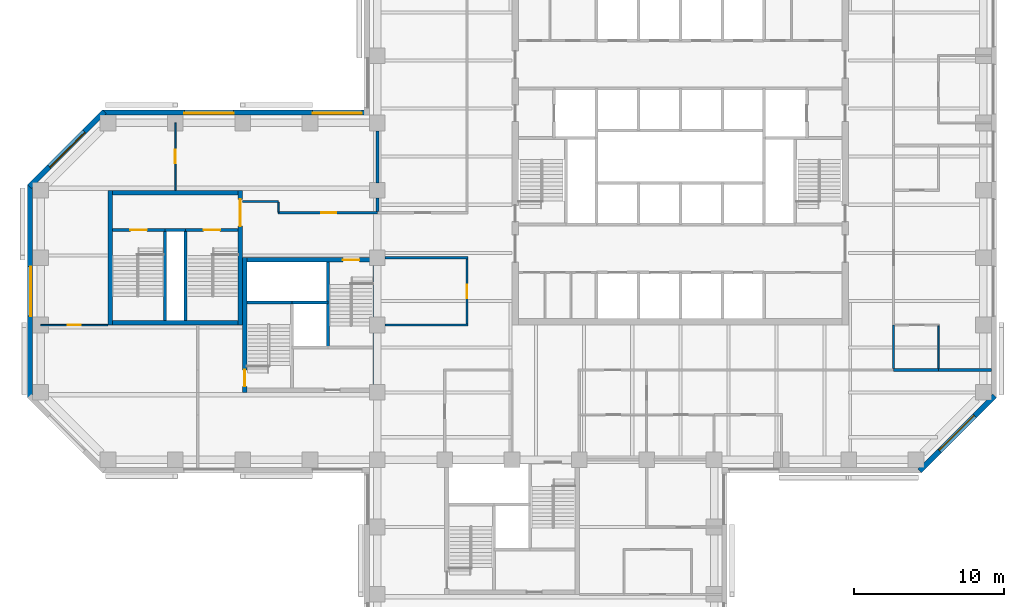
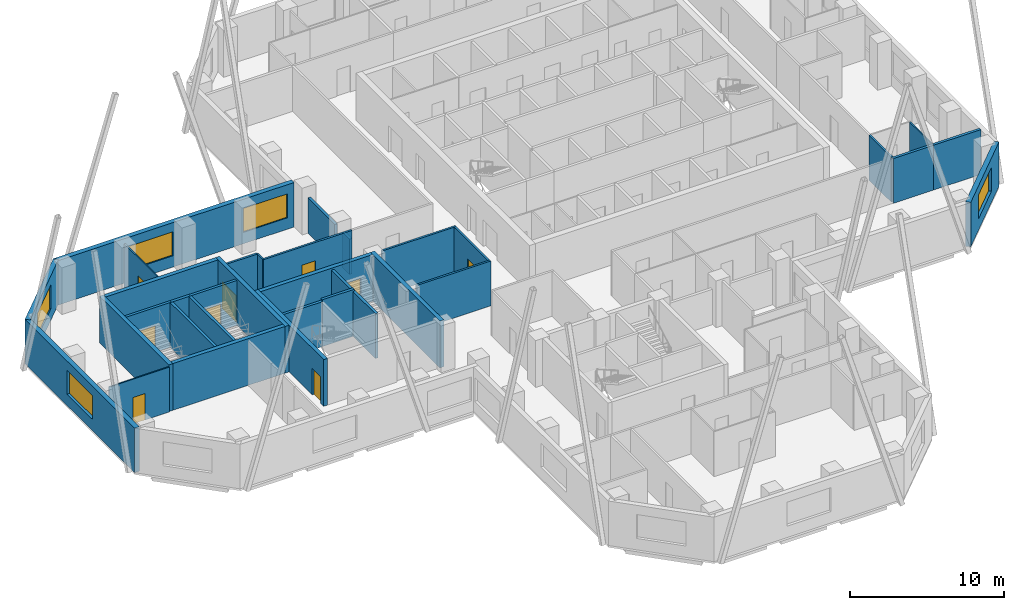
# One storey, part 5 of 10: 33 walls, 9 doors, 5 windows, 14 openings.
"""IFC4 building model written with IfcOpenShell, lengths in metres."""

from ifc_helpers import new_model, si_unit, direction, frame, frame_2d, origin, place, context, subcontext, project, spatial, rectangle, extrude, material, layer, layer_set, constituent, constituent_set, type_object, element, fill, save


model = new_model("IFC4")

# Units and contexts
model_context = context("Model", 3, precision=1e-05, world=origin(), true_north=direction((0.0, 1.0)))
body_context = subcontext(model_context, "Body", "Model", "MODEL_VIEW")
ifc_project = project(units=[si_unit("LENGTHUNIT", "METRE"), si_unit("AREAUNIT", "SQUARE_METRE"), si_unit("VOLUMEUNIT", "CUBIC_METRE"), si_unit("PLANEANGLEUNIT", "RADIAN"), si_unit("MASSUNIT", "GRAM", prefix="KILO")], contexts=[model_context])

# Site, building, storey
site_placement = place(None, origin())
site = spatial("IfcSite", under=ifc_project, at=site_placement, CompositionType="ELEMENT")
building_placement = place(site_placement, origin())
building = spatial("IfcBuilding", under=site, at=building_placement, Name="Quoin Convention Tower", CompositionType="ELEMENT")
storey_placement = place(building_placement, frame((0.0, 0.0, 97.39990234375)))
storey = spatial("IfcBuildingStorey", under=building, at=storey_placement, Name="L25", CompositionType="ELEMENT", Elevation=97.39990234375)

# Wall, opening, window
ifc_material_1 = material(Name="Brick masonry", Category="masonry")
ifc_layer_1 = layer(ifc_material_1, 0.35009765625)
ifc_layer_set_1 = layer_set([ifc_layer_1], Name="Brick masonry")
wall_type_1 = type_object("IfcWallType", Name="Brick facade wall", PredefinedType="STANDARD", material=ifc_layer_set_1)
wall_1_placement = place(storey_placement, frame((72.23876953125, 39.748779296875, 0.0), z_axis=(0.0, 0.0, 1.0), x_axis=(0.707106781187, 0.707106781187, 0.0)))
wall_1 = element("IfcWall", 1, at=wall_1_placement, inside=storey, type_object=wall_type_1, Name="fw-L25-72000_40500", PredefinedType="STANDARD", context=body_context, shape_type="SweptSolid", body=[
    extrude(rectangle(XDim=7.088623046875, YDim=0.35009765625, at=frame_2d((3.54443359375, 0.0))), origin(), (0.0, 0.0, 1.0), 3.525146484375),
])
opening_1_placement = place(wall_1_placement, frame((1.894287109375, 0.0, 0.89990234375)))
opening_1 = element("IfcOpeningElement", 2, at=opening_1_placement, cuts=wall_1, Name="Opening W-02", PredefinedType="OPENING", context=body_context, shape_type="SweptSolid", body=[
    extrude(rectangle(XDim=3.300048828125, YDim=1.89990234375, at=frame_2d((1.64990234375, 0.949951171875))), frame((0.0, 0.18505859375, 0.0), z_axis=(0.0, -1.0, 0.0), x_axis=(1.0, 0.0, 0.0)), (0.0, 0.0, 1.0), 0.3701171875),
])
ifc_material_2 = material(Name="Aluminium", Category="aluminium")
ifc_constituent_1 = constituent(ifc_material_2, Name="Frame")
ifc_material_3 = material(Name="Insulated glass", Category="glass")
ifc_constituent_2 = constituent(ifc_material_3, Name="Glazing")
ifc_constituent_set = constituent_set(constituents=[ifc_constituent_1, ifc_constituent_2], Name="Aluminium")
window_type = type_object("IfcWindowType", Name="Office window", PartitioningType="DOUBLE_PANEL_VERTICAL", PredefinedType="WINDOW", material=ifc_constituent_set)
window_1_placement = place(opening_1_placement, origin())
window_1 = element("IfcWindow", 3, at=window_1_placement, inside=storey, type_object=window_type, Name="win-L25-74745_42255", OverallHeight=1.89990234375, OverallWidth=3.300048828125, PartitioningType="SINGLE_PANEL", PredefinedType="WINDOW", context=body_context, shape_type="SweptSolid", body=[
    extrude(rectangle(XDim=3.300048828125, YDim=1.89990234375, at=frame_2d((1.64990234375, 0.949951171875))), frame((0.0, 0.0849609375, 0.0), z_axis=(0.0, -1.0, 0.0), x_axis=(1.0, 0.0, 0.0)), (0.0, 0.0, 1.0), 0.06005859375),
])
fill(opening_1, window_1)

# Wall, openings, windows
wall_2_placement = place(storey_placement, frame((35.47509765625, 63.699951171875, 0.0), z_axis=(0.0, 0.0, 1.0), x_axis=(-1.0, 0.0, 0.0)))
wall_2 = element("IfcWall", 4, at=wall_2_placement, inside=storey, type_object=wall_type_1, Name="fw-L25-36000_63000", PredefinedType="STANDARD", context=body_context, shape_type="SweptSolid", body=[
    extrude(rectangle(XDim=17.83740234375, YDim=0.35009765625, at=frame_2d((8.918701171875, 0.0))), origin(), (0.0, 0.0, 1.0), 3.525146484375),
])
opening_2_placement = place(wall_2_placement, frame((0.5, 0.0, 0.89990234375)))
opening_2 = element("IfcOpeningElement", 5, at=opening_2_placement, cuts=wall_2, Name="Opening W-02", PredefinedType="OPENING", context=body_context, shape_type="SweptSolid", body=[
    extrude(rectangle(XDim=3.300048828125, YDim=1.89990234375, at=frame_2d((1.64990234375, 0.949951171875))), frame((0.0, 0.18505859375, 0.0), z_axis=(0.0, -1.0, 0.0), x_axis=(1.0, 0.0, 0.0)), (0.0, 0.0, 1.0), 0.3701171875),
])
opening_3_placement = place(wall_2_placement, frame((9.074951171875, 0.0, 0.89990234375)))
opening_3 = element("IfcOpeningElement", 6, at=opening_3_placement, cuts=wall_2, Name="Opening W-02", PredefinedType="OPENING", context=body_context, shape_type="SweptSolid", body=[
    extrude(rectangle(XDim=3.300048828125, YDim=1.89990234375, at=frame_2d((1.64990234375, 0.949951171875))), frame((0.0, 0.18505859375, 0.0), z_axis=(0.0, -1.0, 0.0), x_axis=(1.0, 0.0, 0.0)), (0.0, 0.0, 1.0), 0.3701171875),
])
window_2_placement = place(opening_2_placement, origin())
window_2 = element("IfcWindow", 7, at=window_2_placement, inside=storey, type_object=window_type, Name="win-L25-33750_63700", OverallHeight=1.89990234375, OverallWidth=3.300048828125, PartitioningType="SINGLE_PANEL", PredefinedType="WINDOW", context=body_context, shape_type="SweptSolid", body=[
    extrude(rectangle(XDim=3.300048828125, YDim=1.89990234375, at=frame_2d((1.64990234375, 0.949951171875))), frame((0.0, 0.0849609375, 0.0), z_axis=(0.0, -1.0, 0.0), x_axis=(1.0, 0.0, 0.0)), (0.0, 0.0, 1.0), 0.06005859375),
])
fill(opening_2, window_2)
window_3_placement = place(opening_3_placement, origin())
window_3 = element("IfcWindow", 8, at=window_3_placement, inside=storey, type_object=window_type, Name="win-L25-24750_63700", OverallHeight=1.89990234375, OverallWidth=3.300048828125, PartitioningType="SINGLE_PANEL", PredefinedType="WINDOW", context=body_context, shape_type="SweptSolid", body=[
    extrude(rectangle(XDim=3.300048828125, YDim=1.89990234375, at=frame_2d((1.64990234375, 0.949951171875))), frame((0.0, 0.0849609375, 0.0), z_axis=(0.0, -1.0, 0.0), x_axis=(1.0, 0.0, 0.0)), (0.0, 0.0, 1.0), 0.06005859375),
])
fill(opening_3, window_3)

# Wall, opening, window
wall_3_placement = place(storey_placement, frame((17.76123046875, 63.751220703125, 0.0), z_axis=(0.0, 0.0, 1.0), x_axis=(-0.707106781187, -0.707106781187, 0.0)))
wall_3 = element("IfcWall", 9, at=wall_3_placement, inside=storey, type_object=wall_type_1, Name="fw-L25-18000_63000", PredefinedType="STANDARD", context=body_context, shape_type="SweptSolid", body=[
    extrude(rectangle(XDim=7.088623046875, YDim=0.35009765625, at=frame_2d((3.54443359375, 0.0))), origin(), (0.0, 0.0, 1.0), 3.525146484375),
])
opening_4_placement = place(wall_3_placement, frame((1.894287109375, 0.0, 0.89990234375)))
opening_4 = element("IfcOpeningElement", 10, at=opening_4_placement, cuts=wall_3, Name="Opening W-02", PredefinedType="OPENING", context=body_context, shape_type="SweptSolid", body=[
    extrude(rectangle(XDim=3.300048828125, YDim=1.89990234375, at=frame_2d((1.64990234375, 0.949951171875))), frame((0.0, 0.18505859375, 0.0), z_axis=(0.0, -1.0, 0.0), x_axis=(1.0, 0.0, 0.0)), (0.0, 0.0, 1.0), 0.3701171875),
])
window_4_placement = place(opening_4_placement, origin())
window_4 = element("IfcWindow", 11, at=window_4_placement, inside=storey, type_object=window_type, Name="win-L25-15255_61245", OverallHeight=1.89990234375, OverallWidth=3.300048828125, PartitioningType="SINGLE_PANEL", PredefinedType="WINDOW", context=body_context, shape_type="SweptSolid", body=[
    extrude(rectangle(XDim=3.300048828125, YDim=1.89990234375, at=frame_2d((1.64990234375, 0.949951171875))), frame((0.0, 0.0849609375, 0.0), z_axis=(0.0, -1.0, 0.0), x_axis=(1.0, 0.0, 0.0)), (0.0, 0.0, 1.0), 0.06005859375),
])
fill(opening_4, window_4)

wall_4_placement = place(storey_placement, frame((12.800048828125, 58.8623046875, 0.0), z_axis=(0.0, 0.0, 1.0), x_axis=(0.0, -1.0, 0.0)))
wall_4 = element("IfcWall", 12, at=wall_4_placement, inside=storey, type_object=wall_type_1, Name="fw-L25-13500_58500", PredefinedType="STANDARD", context=body_context, shape_type="SweptSolid", body=[
    extrude(rectangle(XDim=14.224609375, YDim=0.35009765625, at=frame_2d((7.1123046875, 0.0))), origin(), (0.0, 0.0, 1.0), 3.525146484375),
])
opening_5_placement = place(wall_4_placement, frame((5.46240234375, 0.0, 0.89990234375)))
opening_5 = element("IfcOpeningElement", 13, at=opening_5_placement, cuts=wall_4, Name="Opening W-02", PredefinedType="OPENING", context=body_context, shape_type="SweptSolid", body=[
    extrude(rectangle(XDim=3.300048828125, YDim=1.89990234375, at=frame_2d((1.64990234375, 0.949951171875))), frame((0.0, 0.18505859375, 0.0), z_axis=(0.0, -1.0, 0.0), x_axis=(1.0, 0.0, 0.0)), (0.0, 0.0, 1.0), 0.3701171875),
])
window_5_placement = place(opening_5_placement, origin())
window_5 = element("IfcWindow", 14, at=window_5_placement, inside=storey, type_object=window_type, Name="win-L25-12800_51750", OverallHeight=1.89990234375, OverallWidth=3.300048828125, PartitioningType="SINGLE_PANEL", PredefinedType="WINDOW", context=body_context, shape_type="SweptSolid", body=[
    extrude(rectangle(XDim=3.300048828125, YDim=1.89990234375, at=frame_2d((1.64990234375, 0.949951171875))), frame((0.0, 0.0849609375, 0.0), z_axis=(0.0, -1.0, 0.0), x_axis=(1.0, 0.0, 0.0)), (0.0, 0.0, 1.0), 0.06005859375),
])
fill(opening_5, window_5)

# Walls
ifc_material_4 = material(Name="Concrete C50", Category="concrete")
ifc_layer_2 = layer(ifc_material_4, 0.199951171875)
ifc_layer_set_2 = layer_set([ifc_layer_2], Name="Concrete C50")
wall_type_2 = type_object("IfcWallType", Name="Core shaft wall", PredefinedType="SOLIDWALL", material=ifc_layer_set_2)
wall_5_placement = place(storey_placement, frame((27.300048828125, 51.0, 0.0), z_axis=(0.0, 0.0, 1.0), x_axis=(1.0, 0.0, 0.0)))
element("IfcWall", 15, at=wall_5_placement, inside=storey, type_object=wall_type_2, Name="cr-P2-L25-h6000_300", PredefinedType="SOLIDWALL", context=body_context, shape_type="SweptSolid", body=[
    extrude(rectangle(XDim=3.0, YDim=0.199951171875, at=frame_2d((1.5, 0.0))), origin(), (0.0, 0.0, 1.0), 3.550048828125),
])
wall_6_placement = place(storey_placement, frame((32.699951171875, 48.0, 0.0), z_axis=(0.0, 0.0, 1.0), x_axis=(0.0, 1.0, 0.0)))
element("IfcWall", 16, at=wall_6_placement, inside=storey, type_object=wall_type_2, Name="cr-P2-L25-v5700_3000", PredefinedType="SOLIDWALL", context=body_context, shape_type="SweptSolid", body=[
    extrude(rectangle(XDim=5.699951171875, YDim=0.199951171875, at=frame_2d((2.85009765625, 0.0))), origin(), (0.0, 0.0, 1.0), 3.550048828125),
])
wall_7_placement = place(storey_placement, frame((21.800048828125, 55.85009765625, 0.0), z_axis=(0.0, 0.0, 1.0), x_axis=(1.0, 0.0, 0.0)))
element("IfcWall", 17, at=wall_7_placement, inside=storey, type_object=wall_type_2, Name="cr-P6-L25-h6350_3800", PredefinedType="SOLIDWALL", context=body_context, shape_type="SweptSolid", body=[
    extrude(rectangle(XDim=1.39990234375, YDim=0.199951171875, at=frame_2d((0.699951171875, 0.0))), origin(), (0.0, 0.0, 1.0), 3.550048828125),
])

# Wall, opening, door
wall_8_placement = place(storey_placement, frame((18.300048828125, 55.85009765625, 0.0), z_axis=(0.0, 0.0, 1.0), x_axis=(1.0, 0.0, 0.0)))
wall_8 = element("IfcWall", 18, at=wall_8_placement, inside=storey, type_object=wall_type_2, Name="cr-P6-L25-h6350_300", PredefinedType="SOLIDWALL", context=body_context, shape_type="SweptSolid", body=[
    extrude(rectangle(XDim=3.5, YDim=0.199951171875, at=frame_2d((1.75, 0.0))), origin(), (0.0, 0.0, 1.0), 3.550048828125),
])
opening_6_placement = place(wall_8_placement, frame((1.199951171875, 0.0, 0.0)))
opening_6 = element("IfcOpeningElement", 19, at=opening_6_placement, cuts=wall_8, Name="Opening SD11", PredefinedType="OPENING", context=body_context, shape_type="SweptSolid", body=[
    extrude(rectangle(XDim=1.10009765625, YDim=2.10009765625, at=frame_2d((0.550048828125, 1.050048828125))), frame((0.0, 0.10986328125, 0.0), z_axis=(0.0, -1.0, 0.0), x_axis=(1.0, 0.0, 0.0)), (0.0, 0.0, 1.0), 0.219970703125),
])
ifc_material_5 = material(Name="Steel door leaf", Category="steel")
door_type_1 = type_object("IfcDoorType", Name="Stair door 1100 x 2100", OperationType="SINGLE_SWING_RIGHT", PredefinedType="DOOR", material=ifc_material_5)
door_1_placement = place(opening_6_placement, origin())
door_1 = element("IfcDoor", 20, at=door_1_placement, inside=storey, type_object=door_type_1, Name="cd-P6-L25-SA-R2-SD11", OperationType="SINGLE_SWING_RIGHT", OverallHeight=2.10009765625, OverallWidth=1.10009765625, PredefinedType="DOOR", context=body_context, shape_type="SweptSolid", body=[
    extrude(rectangle(XDim=1.10009765625, YDim=2.10009765625, at=frame_2d((0.550048828125, 1.050048828125))), frame((0.0, 0.02490234375, 0.0), z_axis=(0.0, -1.0, 0.0), x_axis=(1.0, 0.0, 0.0)), (0.0, 0.0, 1.0), 0.050048828125),
])
fill(opening_6, door_1)

wall_9_placement = place(storey_placement, frame((23.199951171875, 55.85009765625, 0.0), z_axis=(0.0, 0.0, 1.0), x_axis=(1.0, 0.0, 0.0)))
wall_9 = element("IfcWall", 21, at=wall_9_placement, inside=storey, type_object=wall_type_2, Name="cr-P6-L25-h6350_5200", PredefinedType="SOLIDWALL", context=body_context, shape_type="SweptSolid", body=[
    extrude(rectangle(XDim=3.5, YDim=0.199951171875, at=frame_2d((1.75, 0.0))), origin(), (0.0, 0.0, 1.0), 3.550048828125),
])
opening_7_placement = place(wall_9_placement, frame((1.199951171875, 0.0, 0.0)))
opening_7 = element("IfcOpeningElement", 22, at=opening_7_placement, cuts=wall_9, Name="Opening SD12", PredefinedType="OPENING", context=body_context, shape_type="SweptSolid", body=[
    extrude(rectangle(XDim=1.10009765625, YDim=2.10009765625, at=frame_2d((0.550048828125, 1.050048828125))), frame((0.0, 0.10986328125, 0.0), z_axis=(0.0, -1.0, 0.0), x_axis=(1.0, 0.0, 0.0)), (0.0, 0.0, 1.0), 0.219970703125),
])
door_2_placement = place(opening_7_placement, origin())
door_2 = element("IfcDoor", 23, at=door_2_placement, inside=storey, type_object=door_type_1, Name="cd-P6-L25-SB-R2-SD12", OperationType="SINGLE_SWING_RIGHT", OverallHeight=2.10009765625, OverallWidth=1.10009765625, PredefinedType="DOOR", context=body_context, shape_type="SweptSolid", body=[
    extrude(rectangle(XDim=1.10009765625, YDim=2.10009765625, at=frame_2d((0.550048828125, 1.050048828125))), frame((0.0, 0.02490234375, 0.0), z_axis=(0.0, -1.0, 0.0), x_axis=(1.0, 0.0, 0.0)), (0.0, 0.0, 1.0), 0.050048828125),
])
fill(opening_7, door_2)

# Walls
for number, where, z_axis, x_axis, name in (
    (24, (21.800048828125, 49.800048828125, 0.0), (0.0, 0.0, 1.0), (0.0, 1.0, 0.0), "cr-P6-L25-v3800_300"),
    (25, (23.199951171875, 49.800048828125, 0.0), (0.0, 0.0, 1.0), (0.0, 1.0, 0.0), "cr-P6-L25-v5200_300"),
):
    element("IfcWall", number, at=place(storey_placement, frame(where, z_axis=z_axis, x_axis=x_axis)), inside=storey, type_object=wall_type_2, Name=name, PredefinedType="SOLIDWALL", context=body_context, shape_type="SweptSolid", body=[
        extrude(rectangle(XDim=6.050048828125, YDim=0.199951171875, at=frame_2d((3.02490234375, 0.0))), origin(), (0.0, 0.0, 1.0), 3.550048828125),
    ])
ifc_layer_3 = layer(ifc_material_4, 0.199951171875)
ifc_layer_set_3 = layer_set([ifc_layer_3], Name="Concrete C50")
wall_type_3 = type_object("IfcWallType", Name="Core shaft wall to the floor level over", PredefinedType="SOLIDWALL", material=ifc_layer_set_3)
wall_10_placement = place(storey_placement, frame((30.300048828125, 51.0, 0.0), z_axis=(0.0, 0.0, 1.0), x_axis=(1.0, 0.0, 0.0)))
element("IfcWall", 26, at=wall_10_placement, inside=storey, type_object=wall_type_3, Name="cr-P2-L25-h6000_3300", PredefinedType="SOLIDWALL", context=body_context, shape_type="SweptSolid", body=[
    extrude(rectangle(XDim=2.39990234375, YDim=0.199951171875, at=frame_2d((1.199951171875, 0.0))), origin(), (0.0, 0.0, 1.0), 3.7001953125),
])
ifc_material_6 = material(Name="Plasterboard")
ifc_layer_4 = layer(ifc_material_6, 0.012451171875, Name="Finish")
ifc_material_7 = material(Name="Steel stud framing", Category="steel")
ifc_layer_5 = layer(ifc_material_7, 0.125, Name="Structure")
ifc_layer_6 = layer(ifc_material_6, 0.012451171875, Name="Finish")
ifc_layer_set_4 = layer_set([ifc_layer_4, ifc_layer_5, ifc_layer_6], Name="Steel stud framing")
wall_type_4 = type_object("IfcWallType", Name="Corridor wall 150", PredefinedType="PARTITIONING", material=ifc_layer_set_4)
for number, where, z_axis, x_axis, name in (
    (27, (36.52490234375, 49.5, 0.0), (0.0, 0.0, 1.0), (1.0, 0.0, 0.0), "pw-L25-028"),
    (28, (36.52490234375, 54.0, 0.0), (0.0, 0.0, 1.0), (1.0, 0.0, 0.0), "pw-L25-031"),
):
    element("IfcWall", number, at=place(storey_placement, frame(where, z_axis=z_axis, x_axis=x_axis)), inside=storey, type_object=wall_type_4, Name=name, PredefinedType="PARTITIONING", context=body_context, shape_type="SweptSolid", body=[
        extrude(rectangle(XDim=5.550048828125, YDim=0.14990234375, at=frame_2d((2.77490234375, 0.0))), origin(), (0.0, 0.0, 1.0), 3.550048828125),
    ])

# Wall, opening, door
wall_11_placement = place(storey_placement, frame((29.3798828125, 57.0, 0.0), z_axis=(0.0, 0.0, 1.0), x_axis=(1.0, 0.0, 0.0)))
wall_11 = element("IfcWall", 29, at=wall_11_placement, inside=storey, type_object=wall_type_4, Name="pw-L25-032", PredefinedType="PARTITIONING", context=body_context, shape_type="SweptSolid", body=[
    extrude(rectangle(XDim=6.6201171875, YDim=0.14990234375, at=frame_2d((3.31005859375, 0.0))), origin(), (0.0, 0.0, 1.0), 3.550048828125),
])
opening_8_placement = place(wall_11_placement, frame((2.8798828125, 0.0, 0.0)))
opening_8 = element("IfcOpeningElement", 30, at=opening_8_placement, cuts=wall_11, Name="Opening DOL3-13", PredefinedType="OPENING", context=body_context, shape_type="SweptSolid", body=[
    extrude(rectangle(XDim=1.0, YDim=2.10009765625, at=frame_2d((0.5, 1.050048828125))), frame((0.0, 0.0849609375, 0.0), z_axis=(0.0, -1.0, 0.0), x_axis=(1.0, 0.0, 0.0)), (0.0, 0.0, 1.0), 0.169921875),
])
door_type_2 = type_object("IfcDoorType", Name="Tenancy entrance door 1000 x 2100", OperationType="DOUBLE_DOOR_SINGLE_SWING", PredefinedType="DOOR", material=ifc_material_5)
door_3_placement = place(opening_8_placement, origin())
door_3 = element("IfcDoor", 31, at=door_3_placement, inside=storey, type_object=door_type_2, Name="dr-L25-w01", OperationType="DOUBLE_DOOR_SINGLE_SWING", OverallHeight=2.10009765625, OverallWidth=1.0, PredefinedType="DOOR", context=body_context, shape_type="SweptSolid", body=[
    extrude(rectangle(XDim=1.0, YDim=2.10009765625, at=frame_2d((0.5, 1.050048828125))), frame((0.0, 0.02490234375, 0.0), z_axis=(0.0, -1.0, 0.0), x_axis=(1.0, 0.0, 0.0)), (0.0, 0.0, 1.0), 0.050048828125),
])
fill(opening_8, door_3)

# Wall
wall_12_placement = place(storey_placement, frame((70.5, 46.60009765625, 0.0), z_axis=(0.0, 0.0, 1.0), x_axis=(0.0, 1.0, 0.0)))
element("IfcWall", 32, at=wall_12_placement, inside=storey, type_object=wall_type_4, Name="pw-L25-071", PredefinedType="PARTITIONING", context=body_context, shape_type="SweptSolid", body=[
    extrude(rectangle(XDim=2.89990234375, YDim=0.14990234375, at=frame_2d((1.449951171875, 0.0))), origin(), (0.0, 0.0, 1.0), 3.550048828125),
])

# Wall, opening, door
wall_13_placement = place(storey_placement, frame((42.0, 49.574951171875, 0.0), z_axis=(0.0, 0.0, 1.0), x_axis=(0.0, 1.0, 0.0)))
wall_13 = element("IfcWall", 33, at=wall_13_placement, inside=storey, type_object=wall_type_4, Name="pw-L25-074", PredefinedType="PARTITIONING", context=body_context, shape_type="SweptSolid", body=[
    extrude(rectangle(XDim=4.35009765625, YDim=0.14990234375, at=frame_2d((2.175048828125, 0.0))), origin(), (0.0, 0.0, 1.0), 3.550048828125),
])
opening_9_placement = place(wall_13_placement, frame((1.699951171875, 0.0, 0.0)))
opening_9 = element("IfcOpeningElement", 34, at=opening_9_placement, cuts=wall_13, Name="Opening DOL3-27", PredefinedType="OPENING", context=body_context, shape_type="SweptSolid", body=[
    extrude(rectangle(XDim=0.89990234375, YDim=2.10009765625, at=frame_2d((0.449951171875, 1.050048828125))), frame((0.0, 0.0849609375, 0.0), z_axis=(0.0, -1.0, 0.0), x_axis=(1.0, 0.0, 0.0)), (0.0, 0.0, 1.0), 0.169921875),
])
door_type_3 = type_object("IfcDoorType", Name="Office door 900 x 2100", OperationType="SINGLE_SWING_RIGHT", PredefinedType="DOOR", material=ifc_material_5)
door_4_placement = place(opening_9_placement, origin())
door_4 = element("IfcDoor", 35, at=door_4_placement, inside=storey, type_object=door_type_3, Name="dr-L25-01", OperationType="SINGLE_SWING_RIGHT", OverallHeight=2.10009765625, OverallWidth=0.89990234375, PredefinedType="DOOR", context=body_context, shape_type="SweptSolid", body=[
    extrude(rectangle(XDim=0.89990234375, YDim=2.10009765625, at=frame_2d((0.449951171875, 1.050048828125))), frame((0.0, 0.02490234375, 0.0), z_axis=(0.0, -1.0, 0.0), x_axis=(1.0, 0.0, 0.0)), (0.0, 0.0, 1.0), 0.050048828125),
])
fill(opening_9, door_4)

# Wall
wall_14_placement = place(storey_placement, frame((27.0, 57.75, 0.0), z_axis=(0.0, 0.0, 1.0), x_axis=(1.0, 0.0, 0.0)))
element("IfcWall", 36, at=wall_14_placement, inside=storey, type_object=wall_type_4, Name="pw-L25-w03", PredefinedType="PARTITIONING", context=body_context, shape_type="SweptSolid", body=[
    extrude(rectangle(XDim=2.39990234375, YDim=0.14990234375, at=frame_2d((1.199951171875, 0.0))), origin(), (0.0, 0.0, 1.0), 3.550048828125),
])

# Wall, opening, door
ifc_material_8 = material(Name="Concrete C65", Category="concrete")
ifc_layer_7 = layer(ifc_material_8, 0.300048828125)
ifc_layer_set_5 = layer_set([ifc_layer_7], Name="Concrete C65")
wall_type_5 = type_object("IfcWallType", Name="RC CORE WALL 300 C65", PredefinedType="SHEAR", material=ifc_layer_set_5)
wall_15_placement = place(storey_placement, frame((27.300048828125, 53.85009765625, 0.0), z_axis=(0.0, 0.0, 1.0), x_axis=(1.0, 0.0, 0.0)))
wall_15 = element("IfcWall", 37, at=wall_15_placement, inside=storey, type_object=wall_type_5, Name="cwl-P2-L25-N", PredefinedType="SHEAR", context=body_context, shape_type="SweptSolid", body=[
    extrude(rectangle(XDim=8.39990234375, YDim=0.300048828125, at=frame_2d((4.199951171875, 0.0))), origin(), (0.0, 0.0, 1.0), 3.7001953125),
])
opening_10_placement = place(wall_15_placement, frame((6.39990234375, 0.0, 0.0)))
opening_10 = element("IfcOpeningElement", 38, at=opening_10_placement, cuts=wall_15, Name="Opening SD4", PredefinedType="OPENING", context=body_context, shape_type="SweptSolid", body=[
    extrude(rectangle(XDim=1.10009765625, YDim=2.10009765625, at=frame_2d((0.550048828125, 1.050048828125))), frame((0.0, 0.159912109375, 0.0), z_axis=(0.0, -1.0, 0.0), x_axis=(1.0, 0.0, 0.0)), (0.0, 0.0, 1.0), 0.320068359375),
])
door_5_placement = place(opening_10_placement, frame((1.10009765625, 0.0, 0.0), z_axis=(0.0, 0.0, 1.0), x_axis=(-1.0, 0.0, 0.0)))
door_5 = element("IfcDoor", 39, at=door_5_placement, inside=storey, type_object=door_type_1, Name="cd-P2-L25-SB-N", OperationType="SINGLE_SWING_LEFT", OverallHeight=2.10009765625, OverallWidth=1.10009765625, PredefinedType="DOOR", context=body_context, shape_type="SweptSolid", body=[
    extrude(rectangle(XDim=1.10009765625, YDim=2.10009765625, at=frame_2d((0.550048828125, 1.050048828125))), frame((0.0, 0.02490234375, 0.0), z_axis=(0.0, -1.0, 0.0), x_axis=(1.0, 0.0, 0.0)), (0.0, 0.0, 1.0), 0.050048828125),
])
fill(opening_10, door_5)

wall_16_placement = place(storey_placement, frame((27.14990234375, 45.0, 0.0), z_axis=(0.0, 0.0, 1.0), x_axis=(0.0, 1.0, 0.0)))
wall_16 = element("IfcWall", 40, at=wall_16_placement, inside=storey, type_object=wall_type_5, Name="cwl-P2-L25-W", PredefinedType="SHEAR", context=body_context, shape_type="SweptSolid", body=[
    extrude(rectangle(XDim=9.0, YDim=0.300048828125, at=frame_2d((4.5, 0.0))), origin(), (0.0, 0.0, 1.0), 3.7001953125),
])
opening_11_placement = place(wall_16_placement, frame((0.39990234375, 0.0, 0.0)))
opening_11 = element("IfcOpeningElement", 41, at=opening_11_placement, cuts=wall_16, Name="Opening SD3", PredefinedType="OPENING", context=body_context, shape_type="SweptSolid", body=[
    extrude(rectangle(XDim=1.10009765625, YDim=2.10009765625, at=frame_2d((0.550048828125, 1.050048828125))), frame((0.0, 0.159912109375, 0.0), z_axis=(0.0, -1.0, 0.0), x_axis=(1.0, 0.0, 0.0)), (0.0, 0.0, 1.0), 0.320068359375),
])
door_6_placement = place(opening_11_placement, frame((1.10009765625, 0.0, 0.0), z_axis=(0.0, 0.0, 1.0), x_axis=(-1.0, 0.0, 0.0)))
door_6 = element("IfcDoor", 42, at=door_6_placement, inside=storey, type_object=door_type_1, Name="cd-P2-L25-SA-W", OperationType="SINGLE_SWING_RIGHT", OverallHeight=2.10009765625, OverallWidth=1.10009765625, PredefinedType="DOOR", context=body_context, shape_type="SweptSolid", body=[
    extrude(rectangle(XDim=1.10009765625, YDim=2.10009765625, at=frame_2d((0.550048828125, 1.050048828125))), frame((0.0, 0.02490234375, 0.0), z_axis=(0.0, -1.0, 0.0), x_axis=(1.0, 0.0, 0.0)), (0.0, 0.0, 1.0), 0.050048828125),
])
fill(opening_11, door_6)

# Walls
wall_17_placement = place(storey_placement, frame((35.85009765625, 45.0, 0.0), z_axis=(0.0, 0.0, 1.0), x_axis=(0.0, 1.0, 0.0)))
element("IfcWall", 43, at=wall_17_placement, inside=storey, type_object=wall_type_5, Name="cwl-P2-L25-E", PredefinedType="SHEAR", context=body_context, shape_type="SweptSolid", body=[
    extrude(rectangle(XDim=9.0, YDim=0.300048828125, at=frame_2d((4.5, 0.0))), origin(), (0.0, 0.0, 1.0), 3.7001953125),
])
for number, where, z_axis, x_axis, name in (
    (44, (18.300048828125, 49.64990234375, 0.0), (0.0, 0.0, 1.0), (1.0, 0.0, 0.0), "cwl-P6-L25-S"),
    (45, (18.300048828125, 58.35009765625, 0.0), (0.0, 0.0, 1.0), (1.0, 0.0, 0.0), "cwl-P6-L25-N"),
):
    element("IfcWall", number, at=place(storey_placement, frame(where, z_axis=z_axis, x_axis=x_axis)), inside=storey, type_object=wall_type_5, Name=name, PredefinedType="SHEAR", context=body_context, shape_type="SweptSolid", body=[
        extrude(rectangle(XDim=8.39990234375, YDim=0.300048828125, at=frame_2d((4.199951171875, 0.0))), origin(), (0.0, 0.0, 1.0), 3.7001953125),
    ])
wall_18_placement = place(storey_placement, frame((18.14990234375, 49.5, 0.0), z_axis=(0.0, 0.0, 1.0), x_axis=(0.0, 1.0, 0.0)))
element("IfcWall", 46, at=wall_18_placement, inside=storey, type_object=wall_type_5, Name="cwl-P6-L25-W", PredefinedType="SHEAR", context=body_context, shape_type="SweptSolid", body=[
    extrude(rectangle(XDim=9.0, YDim=0.300048828125, at=frame_2d((4.5, 0.0))), origin(), (0.0, 0.0, 1.0), 3.7001953125),
])

# Wall, opening, door
wall_19_placement = place(storey_placement, frame((26.85009765625, 49.5, 0.0), z_axis=(0.0, 0.0, 1.0), x_axis=(0.0, 1.0, 0.0)))
wall_19 = element("IfcWall", 47, at=wall_19_placement, inside=storey, type_object=wall_type_5, Name="cwl-P6-L25-E", PredefinedType="SHEAR", context=body_context, shape_type="SweptSolid", body=[
    extrude(rectangle(XDim=9.0, YDim=0.300048828125, at=frame_2d((4.5, 0.0))), origin(), (0.0, 0.0, 1.0), 3.7001953125),
])
opening_12_placement = place(wall_19_placement, frame((6.60009765625, 0.0, 0.0)))
opening_12 = element("IfcOpeningElement", 48, at=opening_12_placement, cuts=wall_19, Name="Opening DCV3-44", PredefinedType="OPENING", context=body_context, shape_type="SweptSolid", body=[
    extrude(rectangle(XDim=1.800048828125, YDim=2.10009765625, at=frame_2d((0.89990234375, 1.050048828125))), frame((0.0, 0.159912109375, 0.0), z_axis=(0.0, -1.0, 0.0), x_axis=(1.0, 0.0, 0.0)), (0.0, 0.0, 1.0), 0.320068359375),
])
door_type_4 = type_object("IfcDoorType", Name="Goods lobby door 1800 x 2100", OperationType="SINGLE_SWING_LEFT", PredefinedType="DOOR", material=ifc_material_5)
door_7_placement = place(opening_12_placement, origin())
door_7 = element("IfcDoor", 49, at=door_7_placement, inside=storey, type_object=door_type_4, Name="cd-P6-L25-R2-E", OperationType="SINGLE_SWING_LEFT", OverallHeight=2.10009765625, OverallWidth=1.800048828125, PredefinedType="DOOR", context=body_context, shape_type="SweptSolid", body=[
    extrude(rectangle(XDim=1.800048828125, YDim=2.10009765625, at=frame_2d((0.89990234375, 1.050048828125))), frame((0.0, 0.02490234375, 0.0), z_axis=(0.0, -1.0, 0.0), x_axis=(1.0, 0.0, 0.0)), (0.0, 0.0, 1.0), 0.050048828125),
])
fill(opening_12, door_7)

# Wall
ifc_layer_8 = layer(ifc_material_6, 0.012451171875, Name="Finish")
ifc_layer_9 = layer(ifc_material_7, 0.074951171875, Name="Structure")
ifc_layer_10 = layer(ifc_material_6, 0.012451171875, Name="Finish")
ifc_layer_set_6 = layer_set([ifc_layer_8, ifc_layer_9, ifc_layer_10], Name="Steel stud framing")
wall_type_6 = type_object("IfcWallType", Name="Stud partition 100", PredefinedType="PARTITIONING", material=ifc_layer_set_6)
wall_20_placement = place(storey_placement, frame((73.5, 46.60009765625, 0.0), z_axis=(0.0, 0.0, 1.0), x_axis=(0.0, 1.0, 0.0)))
element("IfcWall", 50, at=wall_20_placement, inside=storey, type_object=wall_type_6, Name="pw-L25-072", PredefinedType="PARTITIONING", context=body_context, shape_type="SweptSolid", body=[
    extrude(rectangle(XDim=2.849853515625, YDim=0.10009765625, at=frame_2d((1.4248046875, 0.0))), origin(), (0.0, 0.0, 1.0), 3.550048828125),
])

# Wall, opening, door
wall_21_placement = place(storey_placement, frame((22.5, 63.0, 0.0), z_axis=(0.0, 0.0, 1.0), x_axis=(0.0, -1.0, 0.0)))
wall_21 = element("IfcWall", 51, at=wall_21_placement, inside=storey, type_object=wall_type_6, Name="pw-L25-w01", PredefinedType="PARTITIONING", context=body_context, shape_type="SweptSolid", body=[
    extrude(rectangle(XDim=4.5, YDim=0.10009765625, at=frame_2d((2.25, 0.0))), origin(), (0.0, 0.0, 1.0), 3.550048828125),
])
opening_13_placement = place(wall_21_placement, frame((1.800048828125, 0.0, 0.0)))
opening_13 = element("IfcOpeningElement", 52, at=opening_13_placement, cuts=wall_21, Name="Opening DOL3-31", PredefinedType="OPENING", context=body_context, shape_type="SweptSolid", body=[
    extrude(rectangle(XDim=0.89990234375, YDim=2.10009765625, at=frame_2d((0.449951171875, 1.050048828125))), frame((0.0, 0.06005859375, 0.0), z_axis=(0.0, -1.0, 0.0), x_axis=(1.0, 0.0, 0.0)), (0.0, 0.0, 1.0), 0.1201171875),
])
door_8_placement = place(opening_13_placement, origin())
door_8 = element("IfcDoor", 53, at=door_8_placement, inside=storey, type_object=door_type_3, Name="dr-L25-w02", OperationType="SINGLE_SWING_LEFT", OverallHeight=2.10009765625, OverallWidth=0.89990234375, PredefinedType="DOOR", context=body_context, shape_type="SweptSolid", body=[
    extrude(rectangle(XDim=0.89990234375, YDim=2.10009765625, at=frame_2d((0.449951171875, 1.050048828125))), frame((0.0, 0.02490234375, 0.0), z_axis=(0.0, -1.0, 0.0), x_axis=(1.0, 0.0, 0.0)), (0.0, 0.0, 1.0), 0.050048828125),
])
fill(opening_13, door_8)

wall_22_placement = place(storey_placement, frame((13.5, 49.5, 0.0), z_axis=(0.0, 0.0, 1.0), x_axis=(1.0, 0.0, 0.0)))
wall_22 = element("IfcWall", 54, at=wall_22_placement, inside=storey, type_object=wall_type_6, Name="pw-L25-w02", PredefinedType="PARTITIONING", context=body_context, shape_type="SweptSolid", body=[
    extrude(rectangle(XDim=4.5, YDim=0.10009765625, at=frame_2d((2.25, 0.0))), origin(), (0.0, 0.0, 1.0), 3.550048828125),
])
opening_14_placement = place(wall_22_placement, frame((1.800048828125, 0.0, 0.0)))
opening_14 = element("IfcOpeningElement", 55, at=opening_14_placement, cuts=wall_22, Name="Opening DOL3-32", PredefinedType="OPENING", context=body_context, shape_type="SweptSolid", body=[
    extrude(rectangle(XDim=0.89990234375, YDim=2.10009765625, at=frame_2d((0.449951171875, 1.050048828125))), frame((0.0, 0.06005859375, 0.0), z_axis=(0.0, -1.0, 0.0), x_axis=(1.0, 0.0, 0.0)), (0.0, 0.0, 1.0), 0.1201171875),
])
door_9_placement = place(opening_14_placement, frame((0.89990234375, 0.0, 0.0), z_axis=(0.0, 0.0, 1.0), x_axis=(-1.0, 0.0, 0.0)))
door_9 = element("IfcDoor", 56, at=door_9_placement, inside=storey, type_object=door_type_3, Name="dr-L25-w03", OperationType="SINGLE_SWING_LEFT", OverallHeight=2.10009765625, OverallWidth=0.89990234375, PredefinedType="DOOR", context=body_context, shape_type="SweptSolid", body=[
    extrude(rectangle(XDim=0.89990234375, YDim=2.10009765625, at=frame_2d((0.449951171875, 1.050048828125))), frame((0.0, 0.02490234375, 0.0), z_axis=(0.0, -1.0, 0.0), x_axis=(1.0, 0.0, 0.0)), (0.0, 0.0, 1.0), 0.050048828125),
])
fill(opening_14, door_9)

# Walls
wall_23_placement = place(storey_placement, frame((29.39990234375, 57.715087890625, 0.0), z_axis=(0.0, 0.0, 1.0), x_axis=(0.0, -1.0, 0.0)))
element("IfcWall", 57, at=wall_23_placement, inside=storey, type_object=wall_type_6, Name="pw-L25-w04", PredefinedType="PARTITIONING", context=body_context, shape_type="SweptSolid", body=[
    extrude(rectangle(XDim=0.68017578125, YDim=0.10009765625, at=frame_2d((0.340087890625, 0.0))), origin(), (0.0, 0.0, 1.0), 3.550048828125),
])
ifc_layer_11 = layer(ifc_material_6, 0.012451171875, Name="Finish")
ifc_layer_12 = layer(ifc_material_7, 0.175048828125, Name="Structure")
ifc_layer_13 = layer(ifc_material_6, 0.012451171875, Name="Finish")
ifc_layer_set_7 = layer_set([ifc_layer_11, ifc_layer_12, ifc_layer_13], Name="Steel stud framing")
wall_type_7 = type_object("IfcWallType", Name="Tenancy demising wall 200", PredefinedType="PARTITIONING", material=ifc_layer_set_7)
wall_24_placement = place(storey_placement, frame((70.5, 46.5, 0.0), z_axis=(0.0, 0.0, 1.0), x_axis=(1.0, 0.0, 0.0)))
element("IfcWall", 58, at=wall_24_placement, inside=storey, type_object=wall_type_7, Name="pw-L25-026", PredefinedType="PARTITIONING", context=body_context, shape_type="SweptSolid", body=[
    extrude(rectangle(XDim=3.0, YDim=0.199951171875, at=frame_2d((1.5, 0.0))), origin(), (0.0, 0.0, 1.0), 3.550048828125),
])
wall_25_placement = place(storey_placement, frame((73.5, 46.5, 0.0), z_axis=(0.0, 0.0, 1.0), x_axis=(1.0, 0.0, 0.0)))
element("IfcWall", 59, at=wall_25_placement, inside=storey, type_object=wall_type_7, Name="pw-L25-027", PredefinedType="PARTITIONING", context=body_context, shape_type="SweptSolid", body=[
    extrude(rectangle(XDim=3.52490234375, YDim=0.199951171875, at=frame_2d((1.762451171875, 0.0))), origin(), (0.0, 0.0, 1.0), 3.550048828125),
])
ifc_layer_14 = layer(ifc_material_6, 0.012451171875, Name="Finish")
ifc_layer_15 = layer(ifc_material_7, 0.175048828125, Name="Structure")
ifc_layer_16 = layer(ifc_material_6, 0.012451171875, Name="Finish")
ifc_layer_set_8 = layer_set([ifc_layer_14, ifc_layer_15, ifc_layer_16], Name="Steel stud framing")
wall_type_8 = type_object("IfcWallType", Name="Tenancy demising wall 200 under beam 750", PredefinedType="PARTITIONING", material=ifc_layer_set_8)
wall_26_placement = place(storey_placement, frame((36.0, 57.074951171875, 0.0), z_axis=(0.0, 0.0, 1.0), x_axis=(0.0, 1.0, 0.0)))
element("IfcWall", 60, at=wall_26_placement, inside=storey, type_object=wall_type_8, Name="pw-L25-076", PredefinedType="PARTITIONING", context=body_context, shape_type="SweptSolid", body=[
    extrude(rectangle(XDim=0.900146484375, YDim=0.199951171875, at=frame_2d((0.4501953125, 0.0))), origin(), (0.0, 0.0, 1.0), 2.800048828125),
])
wall_27_placement = place(storey_placement, frame((36.0, 58.9951171875, 0.0), z_axis=(0.0, 0.0, 1.0), x_axis=(0.0, 1.0, 0.0)))
element("IfcWall", 61, at=wall_27_placement, inside=storey, type_object=wall_type_8, Name="pw-L25-080", PredefinedType="PARTITIONING", context=body_context, shape_type="SweptSolid", body=[
    extrude(rectangle(XDim=3.47998046875, YDim=0.199951171875, at=frame_2d((1.739990234375, 0.0))), origin(), (0.0, 0.0, 1.0), 2.800048828125),
])

save(model, "model.ifc")
